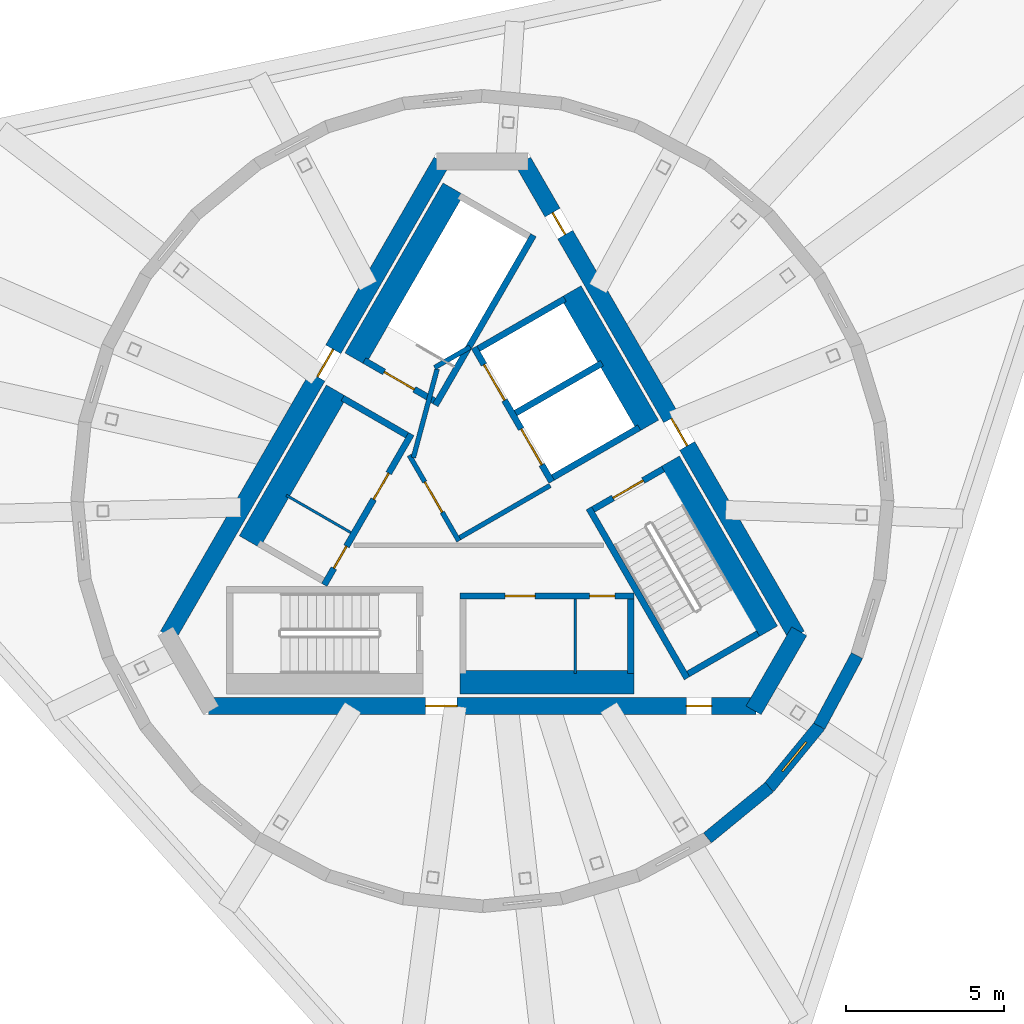
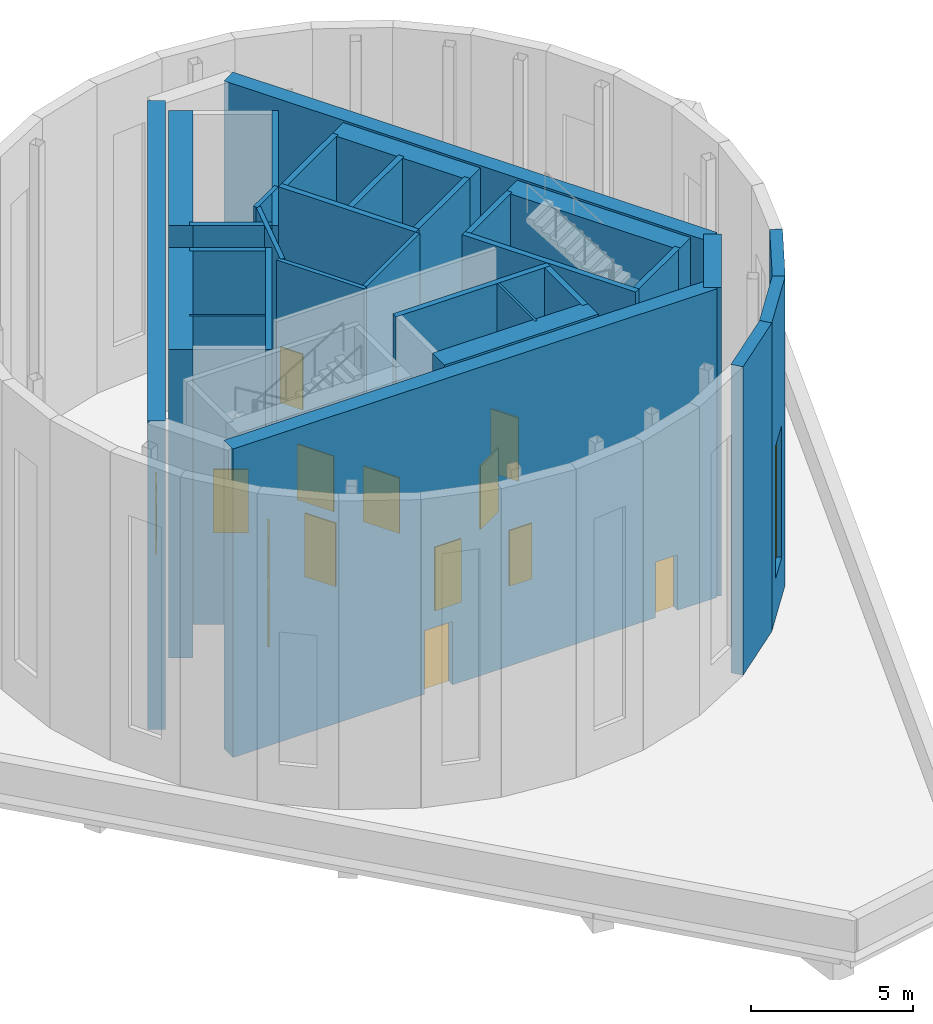
# One storey, part 6 of 9: 31 walls, 14 doors, 1 window, 15 openings.
"""IFC4 building model written with IfcOpenShell, lengths in metres."""

from ifc_helpers import new_model, si_unit, direction, frame, frame_2d, origin, place, context, subcontext, project, spatial, rectangle, extrude, material, layer, layer_set, type_object, element, fill, save


model = new_model("IFC4")

# Units and contexts
model_context = context("Model", 3, precision=1e-05, world=origin(), true_north=direction((0.0, 1.0)))
body_context = subcontext(model_context, "Body", "Model", "MODEL_VIEW")
ifc_project = project(units=[si_unit("LENGTHUNIT", "METRE"), si_unit("AREAUNIT", "SQUARE_METRE"), si_unit("VOLUMEUNIT", "CUBIC_METRE"), si_unit("PLANEANGLEUNIT", "RADIAN"), si_unit("MASSUNIT", "GRAM", prefix="KILO")], contexts=[model_context])

# Site, building, storey
site_placement = place(None, origin())
site = spatial("IfcSite", under=ifc_project, at=site_placement, CompositionType="ELEMENT")
building_placement = place(site_placement, origin())
building = spatial("IfcBuilding", under=site, at=building_placement, Name="Tramontana Tower", CompositionType="ELEMENT")
storey_placement = place(building_placement, frame((0.0, 0.0, 380.89990234375)))
storey = spatial("IfcBuildingStorey", under=building, at=storey_placement, Name="Crown", CompositionType="ELEMENT", Elevation=380.89990234375)

# Wall, opening, door
ifc_material_1 = material(Name="Concrete 70 MPa", Category="concrete")
ifc_layer_1 = layer(ifc_material_1, 0.550048828125)
ifc_layer_set_1 = layer_set([ifc_layer_1], Name="Core wall 550 70 MPa")
wall_type_1 = type_object("IfcWallType", Name="Core wall 550 70 MPa", PredefinedType="SHEAR", material=ifc_layer_set_1)
wall_1_placement = place(storey_placement, frame((-1.28466796875, 10.72509765625, 0.0), z_axis=(0.0, 0.0, 1.0), x_axis=(-0.499994590896, -0.86602852671, 0.0)))
wall_1 = element("IfcWall", 1, at=wall_1_placement, inside=storey, type_object=wall_type_1, Name="Core wall C1 Crown", PredefinedType="SHEAR", context=body_context, shape_type="SweptSolid", body=[
    extrude(rectangle(XDim=17.291748046875, YDim=0.550048828125, at=frame_2d((8.64599609375, 0.0))), origin(), (0.0, 0.0, 1.0), 11.650146484375),
])
opening_1_placement = place(wall_1_placement, frame((6.850830078125, 0.0, 0.0)))
opening_1 = element("IfcOpeningElement", 2, at=opening_1_placement, cuts=wall_1, Name="Opening RG1", PredefinedType="OPENING", context=body_context, shape_type="SweptSolid", body=[
    extrude(rectangle(XDim=1.0, YDim=2.39990234375, at=frame_2d((0.5, 1.199951171875))), frame((0.0, 0.284912109375, 0.0), z_axis=(0.0, -1.0, 0.0), x_axis=(1.0, 0.0, 0.0)), (0.0, 0.0, 1.0), 0.570068359375),
])
ifc_material_2 = material(Name="Painted steel", Category="steel")
door_type_1 = type_object("IfcDoorType", Name="RING DOOR 1000", OperationType="SINGLE_SWING_LEFT", PredefinedType="DOOR", material=ifc_material_2)
door_1_placement = place(opening_1_placement, origin())
door_1 = element("IfcDoor", 3, at=door_1_placement, inside=storey, type_object=door_type_1, Name="Door RG1", OperationType="SINGLE_SWING_RIGHT", OverallHeight=2.39990234375, OverallWidth=1.0, PredefinedType="DOOR", context=body_context, shape_type="SweptSolid", body=[
    extrude(rectangle(XDim=1.0, YDim=2.39990234375, at=frame_2d((0.5, 1.199951171875))), frame((0.0, 0.02490234375, 0.0), z_axis=(0.0, -1.0, 0.0), x_axis=(1.0, 0.0, 0.0)), (0.0, 0.0, 1.0), 0.050048828125),
])
fill(opening_1, door_1)

# Wall, openings, doors
wall_2_placement = place(storey_placement, frame((-8.645751953125, -6.47509765625, 0.0), z_axis=(0.0, 0.0, 1.0), x_axis=(1.0, 0.0, 0.0)))
wall_2 = element("IfcWall", 4, at=wall_2_placement, inside=storey, type_object=wall_type_1, Name="Core wall C3 Crown", PredefinedType="SHEAR", context=body_context, shape_type="SweptSolid", body=[
    extrude(rectangle(XDim=17.29150390625, YDim=0.550048828125, at=frame_2d((8.645751953125, 0.0))), origin(), (0.0, 0.0, 1.0), 11.650146484375),
])
opening_2_placement = place(wall_2_placement, frame((6.850830078125, 0.0, 0.0)))
opening_2 = element("IfcOpeningElement", 5, at=opening_2_placement, cuts=wall_2, Name="Opening RG2", PredefinedType="OPENING", context=body_context, shape_type="SweptSolid", body=[
    extrude(rectangle(XDim=1.0, YDim=2.39990234375, at=frame_2d((0.5, 1.199951171875))), frame((0.0, 0.284912109375, 0.0), z_axis=(0.0, -1.0, 0.0), x_axis=(1.0, 0.0, 0.0)), (0.0, 0.0, 1.0), 0.570068359375),
])
opening_3_placement = place(wall_2_placement, frame((15.088623046875, 0.0, 0.0)))
opening_3 = element("IfcOpeningElement", 6, at=opening_3_placement, cuts=wall_2, Name="Opening PD2", PredefinedType="OPENING", context=body_context, shape_type="SweptSolid", body=[
    extrude(rectangle(XDim=0.800048828125, YDim=2.10009765625, at=frame_2d((0.39990234375, 1.050048828125))), frame((0.0, 0.284912109375, 0.0), z_axis=(0.0, -1.0, 0.0), x_axis=(1.0, 0.0, 0.0)), (0.0, 0.0, 1.0), 0.570068359375),
])
ifc_material_3 = material(Name="Painted steel", Category="steel")
door_type_2 = type_object("IfcDoorType", Name="CUPBOARD DOOR 800", OperationType="SINGLE_SWING_LEFT", PredefinedType="DOOR", material=ifc_material_3)
door_2_placement = place(opening_3_placement, origin())
door_2 = element("IfcDoor", 7, at=door_2_placement, inside=storey, type_object=door_type_2, Name="Door PD2", OperationType="SINGLE_SWING_LEFT", OverallHeight=2.10009765625, OverallWidth=0.800048828125, PredefinedType="DOOR", context=body_context, shape_type="SweptSolid", body=[
    extrude(rectangle(XDim=0.800048828125, YDim=2.10009765625, at=frame_2d((0.39990234375, 1.050048828125))), frame((0.0, 0.02490234375, 0.0), z_axis=(0.0, -1.0, 0.0), x_axis=(1.0, 0.0, 0.0)), (0.0, 0.0, 1.0), 0.050048828125),
])
fill(opening_3, door_2)
door_3_placement = place(opening_2_placement, origin())
door_3 = element("IfcDoor", 8, at=door_3_placement, inside=storey, type_object=door_type_1, Name="Door RG2", OperationType="SINGLE_SWING_LEFT", OverallHeight=2.39990234375, OverallWidth=1.0, PredefinedType="DOOR", context=body_context, shape_type="SweptSolid", body=[
    extrude(rectangle(XDim=1.0, YDim=2.39990234375, at=frame_2d((0.5, 1.199951171875))), frame((0.0, 0.02490234375, 0.0), z_axis=(0.0, -1.0, 0.0), x_axis=(1.0, 0.0, 0.0)), (0.0, 0.0, 1.0), 0.050048828125),
])
fill(opening_2, door_3)

# Wall
wall_3_placement = place(storey_placement, frame((8.56640625, -6.612548828125, 0.0), z_axis=(0.0, 0.0, 1.0), x_axis=(0.499995765644, 0.866027848477, 0.0)))
element("IfcWall", 9, at=wall_3_placement, inside=storey, type_object=wall_type_1, Name="Core wall C4 Crown", PredefinedType="SHEAR", context=body_context, shape_type="SweptSolid", body=[
    extrude(rectangle(XDim=2.88671875, YDim=0.550048828125, at=frame_2d((1.443359375, 0.0))), origin(), (0.0, 0.0, 1.0), 11.650146484375),
])

# Wall, openings, doors
wall_4_placement = place(storey_placement, frame((9.930419921875, -4.25, 0.0), z_axis=(0.0, 0.0, 1.0), x_axis=(-0.499994590896, 0.86602852671, 0.0)))
wall_4 = element("IfcWall", 10, at=wall_4_placement, inside=storey, type_object=wall_type_1, Name="Core wall C5 Crown", PredefinedType="SHEAR", context=body_context, shape_type="SweptSolid", body=[
    extrude(rectangle(XDim=17.291748046875, YDim=0.550048828125, at=frame_2d((8.64599609375, 0.0))), origin(), (0.0, 0.0, 1.0), 11.650146484375),
])
opening_4_placement = place(wall_4_placement, frame((6.9208984375, 0.0, 0.0)))
opening_4 = element("IfcOpeningElement", 11, at=opening_4_placement, cuts=wall_4, Name="Opening RG3", PredefinedType="OPENING", context=body_context, shape_type="SweptSolid", body=[
    extrude(rectangle(XDim=1.0, YDim=2.39990234375, at=frame_2d((0.5, 1.199951171875))), frame((0.0, 0.284912109375, 0.0), z_axis=(0.0, -1.0, 0.0), x_axis=(1.0, 0.0, 0.0)), (0.0, 0.0, 1.0), 0.570068359375),
])
opening_5_placement = place(wall_4_placement, frame((14.625732421875, 0.0, 0.0)))
opening_5 = element("IfcOpeningElement", 12, at=opening_5_placement, cuts=wall_4, Name="Opening PD3", PredefinedType="OPENING", context=body_context, shape_type="SweptSolid", body=[
    extrude(rectangle(XDim=0.800048828125, YDim=2.10009765625, at=frame_2d((0.39990234375, 1.050048828125))), frame((0.0, 0.284912109375, 0.0), z_axis=(0.0, -1.0, 0.0), x_axis=(1.0, 0.0, 0.0)), (0.0, 0.0, 1.0), 0.570068359375),
])
door_4_placement = place(opening_5_placement, origin())
door_4 = element("IfcDoor", 13, at=door_4_placement, inside=storey, type_object=door_type_2, Name="Door PD3", OperationType="SINGLE_SWING_RIGHT", OverallHeight=2.10009765625, OverallWidth=0.800048828125, PredefinedType="DOOR", context=body_context, shape_type="SweptSolid", body=[
    extrude(rectangle(XDim=0.800048828125, YDim=2.10009765625, at=frame_2d((0.39990234375, 1.050048828125))), frame((0.0, 0.02490234375, 0.0), z_axis=(0.0, -1.0, 0.0), x_axis=(1.0, 0.0, 0.0)), (0.0, 0.0, 1.0), 0.050048828125),
])
fill(opening_5, door_4)
door_5_placement = place(opening_4_placement, origin())
door_5 = element("IfcDoor", 14, at=door_5_placement, inside=storey, type_object=door_type_1, Name="Door RG3", OperationType="SINGLE_SWING_RIGHT", OverallHeight=2.39990234375, OverallWidth=1.0, PredefinedType="DOOR", context=body_context, shape_type="SweptSolid", body=[
    extrude(rectangle(XDim=1.0, YDim=2.39990234375, at=frame_2d((0.5, 1.199951171875))), frame((0.0, 0.02490234375, 0.0), z_axis=(0.0, -1.0, 0.0), x_axis=(1.0, 0.0, 0.0)), (0.0, 0.0, 1.0), 0.050048828125),
])
fill(opening_4, door_5)

# Wall
ifc_material_4 = material(Name="Precast concrete 60 MPa", Category="concrete")
ifc_layer_2 = layer(ifc_material_4, 0.39990234375)
ifc_layer_set_2 = layer_set([ifc_layer_2], Name="DW1 Plant drum wall 400")
wall_type_2 = type_object("IfcWallType", Name="DW1 Plant drum wall 400", PredefinedType="SOLIDWALL", material=ifc_layer_set_2)
wall_5_placement = place(storey_placement, frame((7.111328125, -10.642822265625, 0.0), z_axis=(0.0, 0.0, 1.0), x_axis=(0.773018742182, 0.634383184074, 0.0)))
element("IfcWall", 15, at=wall_5_placement, inside=storey, type_object=wall_type_2, Name="Plant drum wall 28", PredefinedType="SOLIDWALL", context=body_context, shape_type="SweptSolid", body=[
    extrude(rectangle(XDim=2.52880859375, YDim=0.39990234375, at=frame_2d((1.264404296875, 0.0))), origin(), (0.0, 0.0, 1.0), 11.650146484375),
])

# Wall, opening, window
wall_6_placement = place(storey_placement, frame((9.051025390625, -9.051025390625, 0.0), z_axis=(0.0, 0.0, 1.0), x_axis=(0.634383184074, 0.773018742182, 0.0)))
wall_6 = element("IfcWall", 16, at=wall_6_placement, inside=storey, type_object=wall_type_2, Name="Plant drum wall 29", PredefinedType="SOLIDWALL", context=body_context, shape_type="SweptSolid", body=[
    extrude(rectangle(XDim=2.52880859375, YDim=0.39990234375, at=frame_2d((1.264404296875, 0.0))), origin(), (0.0, 0.0, 1.0), 11.650146484375),
])
opening_6_placement = place(wall_6_placement, frame((0.66455078125, 0.0, 1.5)))
opening_6 = element("IfcOpeningElement", 17, at=opening_6_placement, cuts=wall_6, Name="Opening LV4", PredefinedType="OPENING", context=body_context, shape_type="SweptSolid", body=[
    extrude(rectangle(XDim=1.199951171875, YDim=5.0, at=frame_2d((0.60009765625, 2.5))), frame((0.0, 0.2099609375, 0.0), z_axis=(0.0, -1.0, 0.0), x_axis=(1.0, 0.0, 0.0)), (0.0, 0.0, 1.0), 0.419921875),
])
ifc_material_5 = material(Name="Aluminum louvre blades", Category="aluminium")
window_type = type_object("IfcWindowType", Name="LV4 Slot louvre 1.2 x 5", PartitioningType="SINGLE_PANEL", PredefinedType="WINDOW", material=ifc_material_5)
window_placement = place(opening_6_placement, origin())
window = element("IfcWindow", 18, at=window_placement, inside=storey, type_object=window_type, Name="Plant drum louvre 15", OverallHeight=5.0, OverallWidth=1.199951171875, PartitioningType="SINGLE_PANEL", PredefinedType="WINDOW", context=body_context, shape_type="SweptSolid", body=[
    extrude(rectangle(XDim=1.199951171875, YDim=5.0, at=frame_2d((0.60009765625, 2.5))), frame((0.0, 0.030029296875, 0.0), z_axis=(0.0, -1.0, 0.0), x_axis=(1.0, 0.0, 0.0)), (0.0, 0.0, 1.0), 0.06005859375),
])
fill(opening_6, window)

# Wall
wall_7_placement = place(storey_placement, frame((10.642822265625, -7.111328125, 0.0), z_axis=(0.0, 0.0, 1.0), x_axis=(0.47137468207, 0.881933052507, 0.0)))
element("IfcWall", 19, at=wall_7_placement, inside=storey, type_object=wall_type_2, Name="Plant drum wall 30", PredefinedType="SOLIDWALL", context=body_context, shape_type="SweptSolid", body=[
    extrude(rectangle(XDim=2.529052734375, YDim=0.39990234375, at=frame_2d((1.2646484375, 0.0))), origin(), (0.0, 0.0, 1.0), 11.650146484375),
])

# Wall, opening, door
ifc_material_6 = material(Name="Gypsum board partition")
ifc_layer_3 = layer(ifc_material_6, 0.14990234375)
ifc_layer_set_3 = layer_set([ifc_layer_3], Name="PARTITION 150")
wall_type_3 = type_object("IfcWallType", Name="PARTITION 150", PredefinedType="PARTITIONING", material=ifc_layer_set_3)
wall_8_placement = place(storey_placement, frame((-0.744140625, -1.260986328125, 0.0), z_axis=(0.0, 0.0, 1.0), x_axis=(-0.500004234368, 0.866022959057, 0.0)))
wall_8 = element("IfcWall", 20, at=wall_8_placement, inside=storey, type_object=wall_type_3, Name="Wall ff-front", PredefinedType="PARTITIONING", context=body_context, shape_type="SweptSolid", body=[
    extrude(rectangle(XDim=3.125, YDim=0.14990234375, at=frame_2d((1.5625, 0.0))), origin(), (0.0, 0.0, 1.0), 11.650146484375),
])
opening_7_placement = place(wall_8_placement, frame((1.050048828125, 0.0, 0.0)))
opening_7 = element("IfcOpeningElement", 21, at=opening_7_placement, cuts=wall_8, Name="Opening FD1", PredefinedType="OPENING", context=body_context, shape_type="SweptSolid", body=[
    extrude(rectangle(XDim=1.10009765625, YDim=2.39990234375, at=frame_2d((0.550048828125, 1.199951171875))), frame((0.0, 0.0849609375, 0.0), z_axis=(0.0, -1.0, 0.0), x_axis=(1.0, 0.0, 0.0)), (0.0, 0.0, 1.0), 0.169921875),
])
ifc_material_7 = material(Name="Painted timber", Category="wood")
door_type_3 = type_object("IfcDoorType", Name="DOOR ENTRY 1100", OperationType="SINGLE_SWING_LEFT", PredefinedType="DOOR", material=ifc_material_7)
door_6_placement = place(opening_7_placement, origin())
door_6 = element("IfcDoor", 22, at=door_6_placement, inside=storey, type_object=door_type_3, Name="Door FD1", OperationType="SINGLE_SWING_LEFT", OverallHeight=2.39990234375, OverallWidth=1.10009765625, PredefinedType="DOOR", context=body_context, shape_type="SweptSolid", body=[
    extrude(rectangle(XDim=1.10009765625, YDim=2.39990234375, at=frame_2d((0.550048828125, 1.199951171875))), frame((0.0, 0.02490234375, 0.0), z_axis=(0.0, -1.0, 0.0), x_axis=(1.0, 0.0, 0.0)), (0.0, 0.0, 1.0), 0.050048828125),
])
fill(opening_7, door_6)

# Walls
wall_9_placement = place(storey_placement, frame((-0.716796875, -1.15869140625, 0.0), z_axis=(0.0, 0.0, 1.0), x_axis=(0.866008176907, 0.50002983664, 0.0)))
element("IfcWall", 23, at=wall_9_placement, inside=storey, type_object=wall_type_3, Name="Wall ff-end0", PredefinedType="PARTITIONING", context=body_context, shape_type="SweptSolid", body=[
    extrude(rectangle(XDim=3.300048828125, YDim=0.14990234375, at=frame_2d((1.64990234375, 0.0))), origin(), (0.0, 0.0, 1.0), 11.650146484375),
])
wall_10_placement = place(storey_placement, frame((-2.177978515625, 1.372314453125, 0.0), z_axis=(0.0, 0.0, 1.0), x_axis=(0.258808958833, 0.96592852884, 0.0)))
element("IfcWall", 24, at=wall_10_placement, inside=storey, type_object=wall_type_3, Name="Wall ff-diag", PredefinedType="PARTITIONING", context=body_context, shape_type="SweptSolid", body=[
    extrude(rectangle(XDim=2.902587890625, YDim=0.14990234375, at=frame_2d((1.451171875, 0.0))), origin(), (0.0, 0.0, 1.0), 11.650146484375),
])
wall_11_placement = place(storey_placement, frame((-1.509765625, 4.21484375, 0.0), z_axis=(0.0, 0.0, 1.0), x_axis=(0.866085525409, 0.49989585183, 0.0)))
element("IfcWall", 25, at=wall_11_placement, inside=storey, type_object=wall_type_3, Name="Wall ff-end1", PredefinedType="PARTITIONING", context=body_context, shape_type="SweptSolid", body=[
    extrude(rectangle(XDim=1.300048828125, YDim=0.14990234375, at=frame_2d((0.64990234375, 0.0))), origin(), (0.0, 0.0, 1.0), 11.650146484375),
])
ifc_material_8 = material(Name="Gypsum board partition")
ifc_layer_4 = layer(ifc_material_8, 0.080078125)
ifc_layer_set_4 = layer_set([ifc_layer_4], Name="PARTITION 80")
wall_type_4 = type_object("IfcWallType", Name="PARTITION 80", PredefinedType="PARTITIONING", material=ifc_layer_set_4)
wall_12_placement = place(storey_placement, frame((-4.15478515625, -0.99609375, 0.0), z_axis=(0.0, 0.0, 1.0), x_axis=(-0.866016039709, 0.500016218704, 0.0)))
element("IfcWall", 26, at=wall_12_placement, inside=storey, type_object=wall_type_4, Name="Wall row0-split", PredefinedType="PARTITIONING", context=body_context, shape_type="SweptSolid", body=[
    extrude(rectangle(XDim=2.35009765625, YDim=0.080078125, at=frame_2d((1.175048828125, 0.0))), origin(), (0.0, 0.0, 1.0), 11.650146484375),
])
wall_13_placement = place(storey_placement, frame((2.93994140625, -3.10009765625, 0.0), z_axis=(0.0, 0.0, 1.0), x_axis=(0.0, -1.0, 0.0)))
element("IfcWall", 27, at=wall_13_placement, inside=storey, type_object=wall_type_4, Name="Wall row1-split", PredefinedType="PARTITIONING", context=body_context, shape_type="SweptSolid", body=[
    extrude(rectangle(XDim=2.349853515625, YDim=0.080078125, at=frame_2d((1.1748046875, 0.0))), origin(), (0.0, 0.0, 1.0), 11.650146484375),
])
ifc_material_9 = material(Name="Concrete 70 MPa", Category="concrete")
ifc_layer_5 = layer(ifc_material_9, 0.75)
ifc_layer_set_5 = layer_set([ifc_layer_5], Name="Concrete 70 MPa, 750 mm")
wall_type_5 = type_object("IfcWallType", Name="RC SHAFT BACK WALL 750", PredefinedType="SOLIDWALL", material=ifc_layer_set_5)
for number, where, z_axis, x_axis, name in (
    (28, (-0.91796875, 9.85986328125, 0.0), (0.0, 0.0, 1.0), (-0.500026960575, -0.86600983753, 0.0), "Wall st1-back"),
    (29, (8.998046875, -4.135009765625, 0.0), (0.0, 0.0, 1.0), (-0.500009909098, 0.866019682689, 0.0), "Wall st3-back"),
):
    element("IfcWall", number, at=place(storey_placement, frame(where, z_axis=z_axis, x_axis=x_axis)), inside=storey, type_object=wall_type_5, Name=name, PredefinedType="SOLIDWALL", context=body_context, shape_type="SweptSolid", body=[
        extrude(rectangle(XDim=6.199951171875, YDim=0.75, at=frame_2d((3.10009765625, 0.0))), origin(), (0.0, 0.0, 1.0), 11.650146484375),
    ])
wall_14_placement = place(storey_placement, frame((-4.60302734375, 3.477294921875, 0.0), z_axis=(0.0, 0.0, 1.0), x_axis=(-0.500015767406, -0.866016300277, 0.0)))
element("IfcWall", 30, at=wall_14_placement, inside=storey, type_object=wall_type_5, Name="Wall row0-back", PredefinedType="SOLIDWALL", context=body_context, shape_type="SweptSolid", body=[
    extrude(rectangle(XDim=5.499755859375, YDim=0.75, at=frame_2d((2.75, 0.0))), origin(), (0.0, 0.0, 1.0), 11.650146484375),
])
wall_15_placement = place(storey_placement, frame((-0.7099609375, -5.72509765625, 0.0), z_axis=(0.0, 0.0, 1.0), x_axis=(1.0, 0.0, 0.0)))
element("IfcWall", 31, at=wall_15_placement, inside=storey, type_object=wall_type_5, Name="Wall row1-back", PredefinedType="SOLIDWALL", context=body_context, shape_type="SweptSolid", body=[
    extrude(rectangle(XDim=5.5, YDim=0.75, at=frame_2d((2.75, 0.0))), origin(), (0.0, 0.0, 1.0), 11.650146484375),
])
wall_16_placement = place(storey_placement, frame((5.242919921875, 2.368896484375, 0.0), z_axis=(0.0, 0.0, 1.0), x_axis=(-0.500002801628, 0.866023786258, 0.0)))
element("IfcWall", 32, at=wall_16_placement, inside=storey, type_object=wall_type_5, Name="Wall row2-back", PredefinedType="SOLIDWALL", context=body_context, shape_type="SweptSolid", body=[
    extrude(rectangle(XDim=4.89990234375, YDim=0.75, at=frame_2d((2.449951171875, 0.0))), origin(), (0.0, 0.0, 1.0), 11.650146484375),
])
ifc_material_10 = material(Name="Concrete 70 MPa", Category="concrete")
ifc_layer_6 = layer(ifc_material_10, 0.199951171875)
ifc_layer_set_6 = layer_set([ifc_layer_6], Name="Concrete 70 MPa, 200 mm")
wall_type_6 = type_object("IfcWallType", Name="RC STAIR AND SHAFT WALL 200", PredefinedType="SOLIDWALL", material=ifc_layer_set_6)
wall_17_placement = place(storey_placement, frame((1.615234375, 8.3974609375, 0.0), z_axis=(0.0, 0.0, 1.0), x_axis=(-0.500009909098, -0.866019682689, 0.0)))
element("IfcWall", 33, at=wall_17_placement, inside=storey, type_object=wall_type_6, Name="Wall st1-front", PredefinedType="SOLIDWALL", context=body_context, shape_type="SweptSolid", body=[
    extrude(rectangle(XDim=6.199951171875, YDim=0.199951171875, at=frame_2d((3.10009765625, 0.0))), origin(), (0.0, 0.0, 1.0), 11.650146484375),
])

# Wall, opening, door
wall_18_placement = place(storey_placement, frame((-1.521484375, 3.164794921875, 0.0), z_axis=(0.0, 0.0, 1.0), x_axis=(-0.866030925526, 0.499990435942, 0.0)))
wall_18 = element("IfcWall", 34, at=wall_18_placement, inside=storey, type_object=wall_type_6, Name="Wall st1-near", PredefinedType="SOLIDWALL", context=body_context, shape_type="SweptSolid", body=[
    extrude(rectangle(XDim=2.5498046875, YDim=0.199951171875, at=frame_2d((1.27490234375, 0.0))), origin(), (0.0, 0.0, 1.0), 11.650146484375),
])
opening_8_placement = place(wall_18_placement, frame((0.72509765625, 0.0, 0.0)))
opening_8 = element("IfcOpeningElement", 35, at=opening_8_placement, cuts=wall_18, Name="Opening SD1", PredefinedType="OPENING", context=body_context, shape_type="SweptSolid", body=[
    extrude(rectangle(XDim=1.10009765625, YDim=2.39990234375, at=frame_2d((0.550048828125, 1.199951171875))), frame((0.0, 0.10986328125, 0.0), z_axis=(0.0, -1.0, 0.0), x_axis=(1.0, 0.0, 0.0)), (0.0, 0.0, 1.0), 0.219970703125),
])
ifc_material_11 = material(Name="Painted steel", Category="steel")
door_type_4 = type_object("IfcDoorType", Name="STAIR DOOR 1100", OperationType="SINGLE_SWING_LEFT", PredefinedType="DOOR", material=ifc_material_11)
door_7_placement = place(opening_8_placement, origin())
door_7 = element("IfcDoor", 36, at=door_7_placement, inside=storey, type_object=door_type_4, Name="Door SD1", OperationType="SINGLE_SWING_RIGHT", OverallHeight=2.39990234375, OverallWidth=1.10009765625, PredefinedType="DOOR", context=body_context, shape_type="SweptSolid", body=[
    extrude(rectangle(XDim=1.10009765625, YDim=2.39990234375, at=frame_2d((0.550048828125, 1.199951171875))), frame((0.0, 0.02490234375, 0.0), z_axis=(0.0, -1.0, 0.0), x_axis=(1.0, 0.0, 0.0)), (0.0, 0.0, 1.0), 0.050048828125),
])
fill(opening_8, door_7)

# Walls
wall_19_placement = place(storey_placement, frame((6.46484375, -5.597412109375, 0.0), z_axis=(0.0, 0.0, 1.0), x_axis=(-0.49998037582, 0.866036733513, 0.0)))
element("IfcWall", 37, at=wall_19_placement, inside=storey, type_object=wall_type_6, Name="Wall st3-front", PredefinedType="SOLIDWALL", context=body_context, shape_type="SweptSolid", body=[
    extrude(rectangle(XDim=6.199951171875, YDim=0.199951171875, at=frame_2d((3.10009765625, 0.0))), origin(), (0.0, 0.0, 1.0), 11.650146484375),
])
wall_20_placement = place(storey_placement, frame((6.50146484375, -5.4609375, 0.0), z_axis=(0.0, 0.0, 1.0), x_axis=(0.865989465428, 0.500062241894, 0.0)))
element("IfcWall", 38, at=wall_20_placement, inside=storey, type_object=wall_type_6, Name="Wall st3-far", PredefinedType="SOLIDWALL", context=body_context, shape_type="SweptSolid", body=[
    extrude(rectangle(XDim=2.550048828125, YDim=0.199951171875, at=frame_2d((1.27490234375, 0.0))), origin(), (0.0, 0.0, 1.0), 11.650146484375),
])

# Wall, opening, door
wall_21_placement = place(storey_placement, frame((3.50146484375, -0.2646484375, 0.0), z_axis=(0.0, 0.0, 1.0), x_axis=(0.866030925526, 0.499990435942, 0.0)))
wall_21 = element("IfcWall", 39, at=wall_21_placement, inside=storey, type_object=wall_type_6, Name="Wall st3-near", PredefinedType="SOLIDWALL", context=body_context, shape_type="SweptSolid", body=[
    extrude(rectangle(XDim=2.5498046875, YDim=0.199951171875, at=frame_2d((1.27490234375, 0.0))), origin(), (0.0, 0.0, 1.0), 11.650146484375),
])
opening_9_placement = place(wall_21_placement, frame((0.72509765625, 0.0, 0.0)))
opening_9 = element("IfcOpeningElement", 40, at=opening_9_placement, cuts=wall_21, Name="Opening SD3", PredefinedType="OPENING", context=body_context, shape_type="SweptSolid", body=[
    extrude(rectangle(XDim=1.10009765625, YDim=2.39990234375, at=frame_2d((0.550048828125, 1.199951171875))), frame((0.0, 0.10986328125, 0.0), z_axis=(0.0, -1.0, 0.0), x_axis=(1.0, 0.0, 0.0)), (0.0, 0.0, 1.0), 0.219970703125),
])
door_8_placement = place(opening_9_placement, origin())
door_8 = element("IfcDoor", 41, at=door_8_placement, inside=storey, type_object=door_type_4, Name="Door SD3", OperationType="SINGLE_SWING_RIGHT", OverallHeight=2.39990234375, OverallWidth=1.10009765625, PredefinedType="DOOR", context=body_context, shape_type="SweptSolid", body=[
    extrude(rectangle(XDim=1.10009765625, YDim=2.39990234375, at=frame_2d((0.550048828125, 1.199951171875))), frame((0.0, 0.02490234375, 0.0), z_axis=(0.0, -1.0, 0.0), x_axis=(1.0, 0.0, 0.0)), (0.0, 0.0, 1.0), 0.050048828125),
])
fill(opening_9, door_8)

# Wall, openings, doors
wall_22_placement = place(storey_placement, frame((-4.9931640625, -2.648193359375, 0.0), z_axis=(0.0, 0.0, 1.0), x_axis=(0.499996545922, 0.866027397988, 0.0)))
wall_22 = element("IfcWall", 42, at=wall_22_placement, inside=storey, type_object=wall_type_6, Name="Wall row0-front", PredefinedType="SOLIDWALL", context=body_context, shape_type="SweptSolid", body=[
    extrude(rectangle(XDim=5.5, YDim=0.199951171875, at=frame_2d((2.75, 0.0))), origin(), (0.0, 0.0, 1.0), 11.650146484375),
])
opening_10_placement = place(wall_22_placement, frame((3.1201171875, 0.0, 0.0)))
opening_10 = element("IfcOpeningElement", 43, at=opening_10_placement, cuts=wall_22, Name="Opening RD-0A", PredefinedType="OPENING", context=body_context, shape_type="SweptSolid", body=[
    extrude(rectangle(XDim=0.949951171875, YDim=2.39990234375, at=frame_2d((0.47509765625, 1.199951171875))), frame((0.0, 0.10986328125, 0.0), z_axis=(0.0, -1.0, 0.0), x_axis=(1.0, 0.0, 0.0)), (0.0, 0.0, 1.0), 0.219970703125),
])
opening_11_placement = place(wall_22_placement, frame((0.60498046875, 0.0, 0.0)))
opening_11 = element("IfcOpeningElement", 44, at=opening_11_placement, cuts=wall_22, Name="Opening RD-0B", PredefinedType="OPENING", context=body_context, shape_type="SweptSolid", body=[
    extrude(rectangle(XDim=0.800048828125, YDim=2.10009765625, at=frame_2d((0.39990234375, 1.050048828125))), frame((0.0, 0.10986328125, 0.0), z_axis=(0.0, -1.0, 0.0), x_axis=(1.0, 0.0, 0.0)), (0.0, 0.0, 1.0), 0.219970703125),
])
door_9_placement = place(opening_11_placement, origin())
door_9 = element("IfcDoor", 45, at=door_9_placement, inside=storey, type_object=door_type_2, Name="Door RD-0B", OperationType="SINGLE_SWING_RIGHT", OverallHeight=2.10009765625, OverallWidth=0.800048828125, PredefinedType="DOOR", context=body_context, shape_type="SweptSolid", body=[
    extrude(rectangle(XDim=0.800048828125, YDim=2.10009765625, at=frame_2d((0.39990234375, 1.050048828125))), frame((0.0, 0.02490234375, 0.0), z_axis=(0.0, -1.0, 0.0), x_axis=(1.0, 0.0, 0.0)), (0.0, 0.0, 1.0), 0.050048828125),
])
fill(opening_11, door_9)
ifc_material_12 = material(Name="Painted timber", Category="wood")
door_type_5 = type_object("IfcDoorType", Name="DOOR ROOM 950", OperationType="SINGLE_SWING_LEFT", PredefinedType="DOOR", material=ifc_material_12)
door_10_placement = place(opening_10_placement, origin())
door_10 = element("IfcDoor", 46, at=door_10_placement, inside=storey, type_object=door_type_5, Name="Door RD-0A", OperationType="SINGLE_SWING_LEFT", OverallHeight=2.39990234375, OverallWidth=0.949951171875, PredefinedType="DOOR", context=body_context, shape_type="SweptSolid", body=[
    extrude(rectangle(XDim=0.949951171875, YDim=2.39990234375, at=frame_2d((0.47509765625, 1.199951171875))), frame((0.0, 0.02490234375, 0.0), z_axis=(0.0, -1.0, 0.0), x_axis=(1.0, 0.0, 0.0)), (0.0, 0.0, 1.0), 0.050048828125),
])
fill(opening_10, door_10)

# Wall
wall_23_placement = place(storey_placement, frame((-2.379638671875, 2.078369140625, 0.0), z_axis=(0.0, 0.0, 1.0), x_axis=(-0.866061024631, 0.499938297808, 0.0)))
element("IfcWall", 47, at=wall_23_placement, inside=storey, type_object=wall_type_6, Name="Wall row0-side0", PredefinedType="SOLIDWALL", context=body_context, shape_type="SweptSolid", body=[
    extrude(rectangle(XDim=2.349853515625, YDim=0.199951171875, at=frame_2d((1.1748046875, 0.0))), origin(), (0.0, 0.0, 1.0), 11.650146484375),
])

# Wall, openings, doors
wall_24_placement = place(storey_placement, frame((4.7900390625, -3.0, 0.0), z_axis=(0.0, 0.0, 1.0), x_axis=(-1.0, 0.0, 0.0)))
wall_24 = element("IfcWall", 48, at=wall_24_placement, inside=storey, type_object=wall_type_6, Name="Wall row1-front", PredefinedType="SOLIDWALL", context=body_context, shape_type="SweptSolid", body=[
    extrude(rectangle(XDim=5.5, YDim=0.199951171875, at=frame_2d((2.75, 0.0))), origin(), (0.0, 0.0, 1.0), 11.650146484375),
])
opening_12_placement = place(wall_24_placement, frame((3.1201171875, 0.0, 0.0)))
opening_12 = element("IfcOpeningElement", 49, at=opening_12_placement, cuts=wall_24, Name="Opening RD-1A", PredefinedType="OPENING", context=body_context, shape_type="SweptSolid", body=[
    extrude(rectangle(XDim=0.949951171875, YDim=2.39990234375, at=frame_2d((0.47509765625, 1.199951171875))), frame((0.0, 0.10986328125, 0.0), z_axis=(0.0, -1.0, 0.0), x_axis=(1.0, 0.0, 0.0)), (0.0, 0.0, 1.0), 0.219970703125),
])
opening_13_placement = place(wall_24_placement, frame((0.60498046875, 0.0, 0.0)))
opening_13 = element("IfcOpeningElement", 50, at=opening_13_placement, cuts=wall_24, Name="Opening RD-1B", PredefinedType="OPENING", context=body_context, shape_type="SweptSolid", body=[
    extrude(rectangle(XDim=0.800048828125, YDim=2.10009765625, at=frame_2d((0.39990234375, 1.050048828125))), frame((0.0, 0.10986328125, 0.0), z_axis=(0.0, -1.0, 0.0), x_axis=(1.0, 0.0, 0.0)), (0.0, 0.0, 1.0), 0.219970703125),
])
door_11_placement = place(opening_13_placement, origin())
door_11 = element("IfcDoor", 51, at=door_11_placement, inside=storey, type_object=door_type_2, Name="Door RD-1B", OperationType="SINGLE_SWING_RIGHT", OverallHeight=2.10009765625, OverallWidth=0.800048828125, PredefinedType="DOOR", context=body_context, shape_type="SweptSolid", body=[
    extrude(rectangle(XDim=0.800048828125, YDim=2.10009765625, at=frame_2d((0.39990234375, 1.050048828125))), frame((0.0, 0.02490234375, 0.0), z_axis=(0.0, -1.0, 0.0), x_axis=(1.0, 0.0, 0.0)), (0.0, 0.0, 1.0), 0.050048828125),
])
fill(opening_13, door_11)
door_12_placement = place(opening_12_placement, origin())
door_12 = element("IfcDoor", 52, at=door_12_placement, inside=storey, type_object=door_type_5, Name="Door RD-1A", OperationType="SINGLE_SWING_LEFT", OverallHeight=2.39990234375, OverallWidth=0.949951171875, PredefinedType="DOOR", context=body_context, shape_type="SweptSolid", body=[
    extrude(rectangle(XDim=0.949951171875, YDim=2.39990234375, at=frame_2d((0.47509765625, 1.199951171875))), frame((0.0, 0.02490234375, 0.0), z_axis=(0.0, -1.0, 0.0), x_axis=(1.0, 0.0, 0.0)), (0.0, 0.0, 1.0), 0.050048828125),
])
fill(opening_12, door_12)

# Wall
wall_25_placement = place(storey_placement, frame((4.68994140625, -3.10009765625, 0.0), z_axis=(0.0, 0.0, 1.0), x_axis=(0.0, -1.0, 0.0)))
element("IfcWall", 53, at=wall_25_placement, inside=storey, type_object=wall_type_6, Name="Wall row1-side2", PredefinedType="SOLIDWALL", context=body_context, shape_type="SweptSolid", body=[
    extrude(rectangle(XDim=2.349853515625, YDim=0.199951171875, at=frame_2d((1.1748046875, 0.0))), origin(), (0.0, 0.0, 1.0), 11.650146484375),
])

# Wall, openings, doors
wall_26_placement = place(storey_placement, frame((2.190185546875, 0.6064453125, 0.0), z_axis=(0.0, 0.0, 1.0), x_axis=(-0.500002801628, 0.866023786258, 0.0)))
wall_26 = element("IfcWall", 54, at=wall_26_placement, inside=storey, type_object=wall_type_6, Name="Wall row2-front", PredefinedType="SOLIDWALL", context=body_context, shape_type="SweptSolid", body=[
    extrude(rectangle(XDim=4.89990234375, YDim=0.199951171875, at=frame_2d((2.449951171875, 0.0))), origin(), (0.0, 0.0, 1.0), 11.650146484375),
])
opening_14_placement = place(wall_26_placement, frame((0.625, 0.0, 0.0)))
opening_14 = element("IfcOpeningElement", 55, at=opening_14_placement, cuts=wall_26, Name="Opening LD-F1", PredefinedType="OPENING", context=body_context, shape_type="SweptSolid", body=[
    extrude(rectangle(XDim=1.300048828125, YDim=2.10009765625, at=frame_2d((0.64990234375, 1.050048828125))), frame((0.0, 0.10986328125, 0.0), z_axis=(0.0, -1.0, 0.0), x_axis=(1.0, 0.0, 0.0)), (0.0, 0.0, 1.0), 0.219970703125),
])
opening_15_placement = place(wall_26_placement, frame((2.97509765625, 0.0, 0.0)))
opening_15 = element("IfcOpeningElement", 56, at=opening_15_placement, cuts=wall_26, Name="Opening LD-F2", PredefinedType="OPENING", context=body_context, shape_type="SweptSolid", body=[
    extrude(rectangle(XDim=1.300048828125, YDim=2.10009765625, at=frame_2d((0.64990234375, 1.050048828125))), frame((0.0, 0.10986328125, 0.0), z_axis=(0.0, -1.0, 0.0), x_axis=(1.0, 0.0, 0.0)), (0.0, 0.0, 1.0), 0.219970703125),
])
ifc_material_13 = material(Name="Brushed steel", Category="steel")
door_type_6 = type_object("IfcDoorType", Name="LANDING DOOR 1300", OperationType="SINGLE_SWING_LEFT", PredefinedType="DOOR", material=ifc_material_13)
door_13_placement = place(opening_14_placement, origin())
door_13 = element("IfcDoor", 57, at=door_13_placement, inside=storey, type_object=door_type_6, Name="Door LD-F1", OperationType="SLIDING_TO_LEFT", OverallHeight=2.10009765625, OverallWidth=1.300048828125, PredefinedType="DOOR", context=body_context, shape_type="SweptSolid", body=[
    extrude(rectangle(XDim=1.300048828125, YDim=2.10009765625, at=frame_2d((0.64990234375, 1.050048828125))), frame((0.0, 0.02490234375, 0.0), z_axis=(0.0, -1.0, 0.0), x_axis=(1.0, 0.0, 0.0)), (0.0, 0.0, 1.0), 0.050048828125),
])
fill(opening_14, door_13)
door_14_placement = place(opening_15_placement, origin())
door_14 = element("IfcDoor", 58, at=door_14_placement, inside=storey, type_object=door_type_6, Name="Door LD-F2", OperationType="SLIDING_TO_RIGHT", OverallHeight=2.10009765625, OverallWidth=1.300048828125, PredefinedType="DOOR", context=body_context, shape_type="SweptSolid", body=[
    extrude(rectangle(XDim=1.300048828125, YDim=2.10009765625, at=frame_2d((0.64990234375, 1.050048828125))), frame((0.0, 0.02490234375, 0.0), z_axis=(0.0, -1.0, 0.0), x_axis=(1.0, 0.0, 0.0)), (0.0, 0.0, 1.0), 0.050048828125),
])
fill(opening_15, door_14)

# Walls
for number, where, z_axis, x_axis, name in (
    (59, (2.226806640625, 0.742919921875, 0.0), (0.0, 0.0, 1.0), (0.866035871367, 0.499981869177, 0.0), "Wall row2-side0"),
    (60, (1.0517578125, 2.778076171875, 0.0), (0.0, 0.0, 1.0), (0.866035871367, 0.499981869177, 0.0), "Wall row2-side1"),
    (61, (-0.123046875, 4.813232421875, 0.0), (0.0, 0.0, 1.0), (0.866016494683, 0.500015430699, 0.0), "Wall row2-side2"),
):
    element("IfcWall", number, at=place(storey_placement, frame(where, z_axis=z_axis, x_axis=x_axis)), inside=storey, type_object=wall_type_6, Name=name, PredefinedType="SOLIDWALL", context=body_context, shape_type="SweptSolid", body=[
        extrude(rectangle(XDim=3.14990234375, YDim=0.199951171875, at=frame_2d((1.574951171875, 0.0))), origin(), (0.0, 0.0, 1.0), 11.650146484375),
    ])

save(model, "model.ifc")
